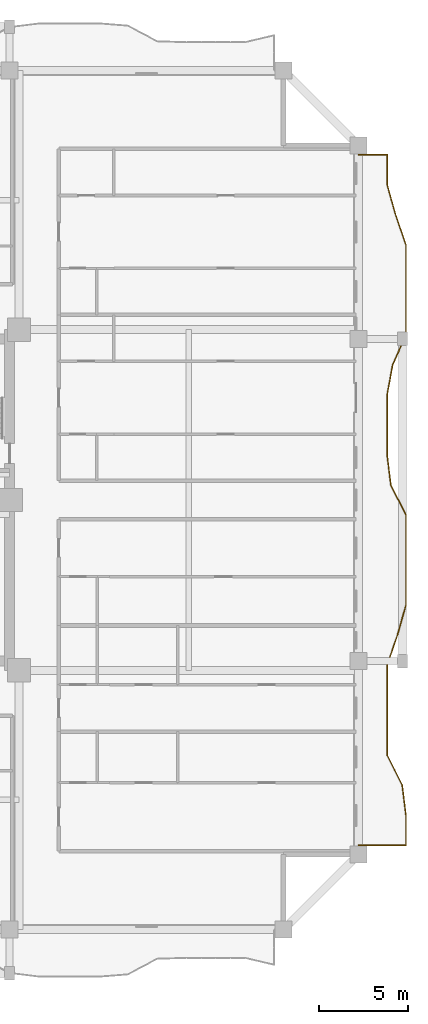
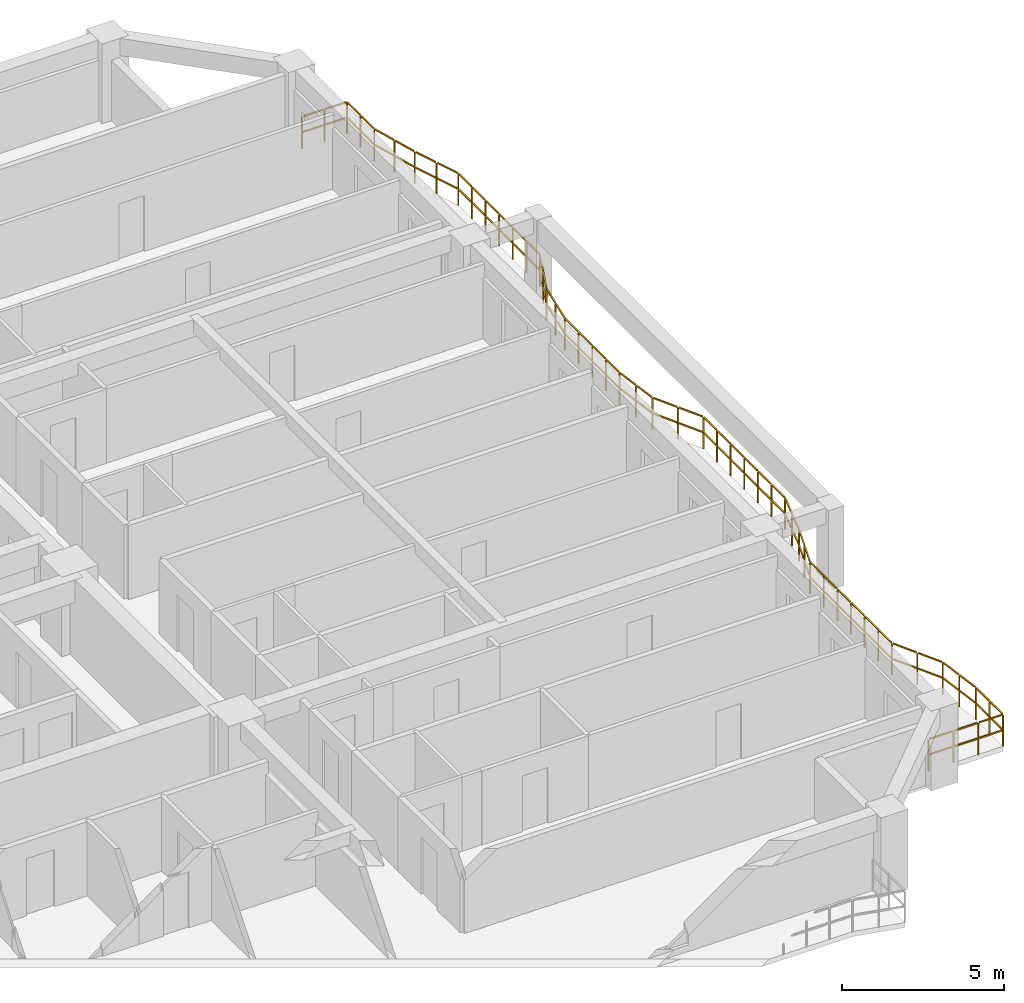
# One storey, part 13 of 14: 1 railing.
"""IFC4 building model written with IfcOpenShell, lengths in metres."""

from ifc_helpers import new_model, si_unit, direction, frame, origin, origin_2d, place, context, subcontext, project, spatial, rectangle, extrude, material, type_object, element, save


model = new_model("IFC4")

# Units and contexts
model_context = context("Model", 3, precision=1e-05, world=origin(), true_north=direction((0.0, 1.0)))
body_context = subcontext(model_context, "Body", "Model", "MODEL_VIEW")
ifc_project = project(units=[si_unit("LENGTHUNIT", "METRE"), si_unit("AREAUNIT", "SQUARE_METRE"), si_unit("VOLUMEUNIT", "CUBIC_METRE"), si_unit("PLANEANGLEUNIT", "RADIAN"), si_unit("MASSUNIT", "GRAM", prefix="KILO")], contexts=[model_context])

# Site, building, storey
site_placement = place(None, origin())
site = spatial("IfcSite", under=ifc_project, at=site_placement, CompositionType="ELEMENT")
building_placement = place(site_placement, origin())
building = spatial("IfcBuilding", under=site, at=building_placement, Name="Saelheon Loggia Tower", CompositionType="ELEMENT")
storey_placement = place(building_placement, frame((0.0, 0.0, 119.85009765625)))
storey = spatial("IfcBuildingStorey", under=building, at=storey_placement, Name="L38", CompositionType="ELEMENT", Elevation=119.85009765625)

# Railing
ifc_material = material(Name="Architectural Precast Concrete and Laminated Glass Guard", Category="concrete")
railing_type = type_object("IfcRailingType", Name="Guard_Loggia_RL_LOG", PredefinedType="BALUSTRADE", material=ifc_material)
railing_placement = place(storey_placement, frame((64.0, 7.699951171875, 0.0)))
element("IfcRailing", 1, at=railing_placement, inside=storey, type_object=railing_type, Name="L38 East Loggia Balustrade", PredefinedType="BALUSTRADE", context=body_context, shape_type="SweptSolid", body=[
    extrude(rectangle(XDim=0.048095703125, YDim=0.048095703125, at=origin_2d()), frame((0.033203125, 0.0, 1.19580078125), z_axis=(1.0, 0.0, 0.0), x_axis=(0.0, 1.0, 0.0)), (0.0, 0.0, 1.0), 0.81689453125),
    extrude(rectangle(XDim=0.048095703125, YDim=0.048095703125, at=origin_2d()), frame((0.033203125, 0.0, 0.60986328125), z_axis=(1.0, 0.0, 0.0), x_axis=(0.0, 1.0, 0.0)), (0.0, 0.0, 1.0), 0.81689453125),
    extrude(rectangle(XDim=0.048095703125, YDim=0.048095703125, at=origin_2d()), frame((0.91650390625, 0.0, 1.19580078125), z_axis=(1.0, 0.0, 0.0), x_axis=(0.0, 1.0, 0.0)), (0.0, 0.0, 1.0), 0.81689453125),
    extrude(rectangle(XDim=0.048095703125, YDim=0.048095703125, at=origin_2d()), frame((0.91650390625, 0.0, 0.60986328125), z_axis=(1.0, 0.0, 0.0), x_axis=(0.0, 1.0, 0.0)), (0.0, 0.0, 1.0), 0.81689453125),
    extrude(rectangle(XDim=0.048095703125, YDim=0.048095703125, at=origin_2d()), frame((1.7998046875, 0.0, 1.19580078125), z_axis=(1.0, 0.0, 0.0), x_axis=(0.0, 1.0, 0.0)), (0.0, 0.0, 1.0), 0.81689453125),
    extrude(rectangle(XDim=0.048095703125, YDim=0.048095703125, at=origin_2d()), frame((1.7998046875, 0.0, 0.60986328125), z_axis=(1.0, 0.0, 0.0), x_axis=(0.0, 1.0, 0.0)), (0.0, 0.0, 1.0), 0.81689453125),
    extrude(rectangle(XDim=0.048095703125, YDim=0.048095703125, at=origin_2d()), frame((2.64990234375, 0.033203125, 1.19580078125), z_axis=(0.0, 1.0, 0.0), x_axis=(-1.0, 0.0, 0.0)), (0.0, 0.0, 1.0), 0.772705078125),
    extrude(rectangle(XDim=0.048095703125, YDim=0.048095703125, at=origin_2d()), frame((2.64990234375, 0.033203125, 0.60986328125), z_axis=(0.0, 1.0, 0.0), x_axis=(-1.0, 0.0, 0.0)), (0.0, 0.0, 1.0), 0.772705078125),
    extrude(rectangle(XDim=0.048095703125, YDim=0.048095703125, at=origin_2d()), frame((2.64990234375, 0.87255859375, 1.19580078125), z_axis=(0.0, 1.0, 0.0), x_axis=(-1.0, 0.0, 0.0)), (0.0, 0.0, 1.0), 0.772705078125),
    extrude(rectangle(XDim=0.048095703125, YDim=0.048095703125, at=origin_2d()), frame((2.64990234375, 0.87255859375, 0.60986328125), z_axis=(0.0, 1.0, 0.0), x_axis=(-1.0, 0.0, 0.0)), (0.0, 0.0, 1.0), 0.772705078125),
    extrude(rectangle(XDim=0.048095703125, YDim=0.048095703125, at=origin_2d()), frame((2.645751953125, 1.71142578125, 1.19580078125), z_axis=(-0.122310580261, 0.992491875008, 0.0), x_axis=(-0.992491875008, -0.122310580261, 0.0)), (0.0, 0.0, 1.0), 0.77880859375),
    extrude(rectangle(XDim=0.048095703125, YDim=0.048095703125, at=origin_2d()), frame((2.645751953125, 1.71142578125, 0.60986328125), z_axis=(-0.122310580261, 0.992491875008, 0.0), x_axis=(-0.992491875008, -0.122310580261, 0.0)), (0.0, 0.0, 1.0), 0.77880859375),
    extrude(rectangle(XDim=0.048095703125, YDim=0.048095703125, at=origin_2d()), frame((2.54248046875, 2.550537109375, 1.19580078125), z_axis=(-0.122310580261, 0.992491875008, 0.0), x_axis=(-0.992491875008, -0.122310580261, 0.0)), (0.0, 0.0, 1.0), 0.77880859375),
    extrude(rectangle(XDim=0.048095703125, YDim=0.048095703125, at=origin_2d()), frame((2.54248046875, 2.550537109375, 0.60986328125), z_axis=(-0.122310580261, 0.992491875008, 0.0), x_axis=(-0.992491875008, -0.122310580261, 0.0)), (0.0, 0.0, 1.0), 0.77880859375),
    extrude(rectangle(XDim=0.048095703125, YDim=0.048095703125, at=origin_2d()), frame((2.42822265625, 3.38623046875, 1.19580078125), z_axis=(-0.448824634664, 0.893619856158, 0.0), x_axis=(-0.893619856158, -0.448824634664, 0.0)), (0.0, 0.0, 1.0), 0.87255859375),
    extrude(rectangle(XDim=0.048095703125, YDim=0.048095703125, at=origin_2d()), frame((2.42822265625, 3.38623046875, 0.60986328125), z_axis=(-0.448824634664, 0.893619856158, 0.0), x_axis=(-0.893619856158, -0.448824634664, 0.0)), (0.0, 0.0, 1.0), 0.87255859375),
    extrude(rectangle(XDim=0.048095703125, YDim=0.048095703125, at=origin_2d()), frame((2.006591796875, 4.225341796875, 1.19580078125), z_axis=(-0.448824634664, 0.893619856158, 0.0), x_axis=(-0.893619856158, -0.448824634664, 0.0)), (0.0, 0.0, 1.0), 0.87255859375),
    extrude(rectangle(XDim=0.048095703125, YDim=0.048095703125, at=origin_2d()), frame((2.006591796875, 4.225341796875, 0.60986328125), z_axis=(-0.448824634664, 0.893619856158, 0.0), x_axis=(-0.893619856158, -0.448824634664, 0.0)), (0.0, 0.0, 1.0), 0.87255859375),
    extrude(rectangle(XDim=0.048095703125, YDim=0.048095703125, at=origin_2d()), frame((1.60009765625, 5.068115234375, 1.19580078125), z_axis=(0.0, 1.0, 0.0), x_axis=(-1.0, 0.0, 0.0)), (0.0, 0.0, 1.0), 0.772705078125),
    extrude(rectangle(XDim=0.048095703125, YDim=0.048095703125, at=origin_2d()), frame((1.60009765625, 5.068115234375, 0.60986328125), z_axis=(0.0, 1.0, 0.0), x_axis=(-1.0, 0.0, 0.0)), (0.0, 0.0, 1.0), 0.772705078125),
    extrude(rectangle(XDim=0.048095703125, YDim=0.048095703125, at=origin_2d()), frame((1.60009765625, 5.9072265625, 1.19580078125), z_axis=(0.0, 1.0, 0.0), x_axis=(-1.0, 0.0, 0.0)), (0.0, 0.0, 1.0), 0.772705078125),
    extrude(rectangle(XDim=0.048095703125, YDim=0.048095703125, at=origin_2d()), frame((1.60009765625, 5.9072265625, 0.60986328125), z_axis=(0.0, 1.0, 0.0), x_axis=(-1.0, 0.0, 0.0)), (0.0, 0.0, 1.0), 0.772705078125),
    extrude(rectangle(XDim=0.048095703125, YDim=0.048095703125, at=origin_2d()), frame((1.60009765625, 6.746337890625, 1.19580078125), z_axis=(0.0, 1.0, 0.0), x_axis=(-1.0, 0.0, 0.0)), (0.0, 0.0, 1.0), 0.772705078125),
    extrude(rectangle(XDim=0.048095703125, YDim=0.048095703125, at=origin_2d()), frame((1.60009765625, 6.746337890625, 0.60986328125), z_axis=(0.0, 1.0, 0.0), x_axis=(-1.0, 0.0, 0.0)), (0.0, 0.0, 1.0), 0.772705078125),
    extrude(rectangle(XDim=0.048095703125, YDim=0.048095703125, at=origin_2d()), frame((1.60009765625, 7.58544921875, 1.19580078125), z_axis=(0.0, 1.0, 0.0), x_axis=(-1.0, 0.0, 0.0)), (0.0, 0.0, 1.0), 0.772705078125),
    extrude(rectangle(XDim=0.048095703125, YDim=0.048095703125, at=origin_2d()), frame((1.60009765625, 7.58544921875, 0.60986328125), z_axis=(0.0, 1.0, 0.0), x_axis=(-1.0, 0.0, 0.0)), (0.0, 0.0, 1.0), 0.772705078125),
    extrude(rectangle(XDim=0.048095703125, YDim=0.048095703125, at=origin_2d()), frame((1.60009765625, 8.424560546875, 1.19580078125), z_axis=(0.0, 1.0, 0.0), x_axis=(-1.0, 0.0, 0.0)), (0.0, 0.0, 1.0), 0.772705078125),
    extrude(rectangle(XDim=0.048095703125, YDim=0.048095703125, at=origin_2d()), frame((1.60009765625, 8.424560546875, 0.60986328125), z_axis=(0.0, 1.0, 0.0), x_axis=(-1.0, 0.0, 0.0)), (0.0, 0.0, 1.0), 0.772705078125),
    extrude(rectangle(XDim=0.048095703125, YDim=0.048095703125, at=origin_2d()), frame((1.60009765625, 9.263671875, 1.19580078125), z_axis=(0.0, 1.0, 0.0), x_axis=(-1.0, 0.0, 0.0)), (0.0, 0.0, 1.0), 0.772705078125),
    extrude(rectangle(XDim=0.048095703125, YDim=0.048095703125, at=origin_2d()), frame((1.60009765625, 9.263671875, 0.60986328125), z_axis=(0.0, 1.0, 0.0), x_axis=(-1.0, 0.0, 0.0)), (0.0, 0.0, 1.0), 0.772705078125),
    extrude(rectangle(XDim=0.048095703125, YDim=0.048095703125, at=origin_2d()), frame((1.61083984375, 10.10107421875, 1.19580078125), z_axis=(0.324595186359, 0.945853035621, 0.0), x_axis=(-0.945853035621, 0.324595186359, 0.0)), (0.0, 0.0, 1.0), 0.82080078125),
    extrude(rectangle(XDim=0.048095703125, YDim=0.048095703125, at=origin_2d()), frame((1.61083984375, 10.10107421875, 0.60986328125), z_axis=(0.324595186359, 0.945853035621, 0.0), x_axis=(-0.945853035621, 0.324595186359, 0.0)), (0.0, 0.0, 1.0), 0.82080078125),
    extrude(rectangle(XDim=0.048095703125, YDim=0.048095703125, at=origin_2d()), frame((1.89892578125, 10.940185546875, 1.19580078125), z_axis=(0.324595186359, 0.945853035621, 0.0), x_axis=(-0.945853035621, 0.324595186359, 0.0)), (0.0, 0.0, 1.0), 0.82080078125),
    extrude(rectangle(XDim=0.048095703125, YDim=0.048095703125, at=origin_2d()), frame((1.89892578125, 10.940185546875, 0.60986328125), z_axis=(0.324595186359, 0.945853035621, 0.0), x_axis=(-0.945853035621, 0.324595186359, 0.0)), (0.0, 0.0, 1.0), 0.82080078125),
    extrude(rectangle(XDim=0.048095703125, YDim=0.048095703125, at=origin_2d()), frame((2.18505859375, 11.77978515625, 1.19580078125), z_axis=(0.271706191311, 0.962380250007, 0.0), x_axis=(-0.962380250007, 0.271706191311, 0.0)), (0.0, 0.0, 1.0), 0.8056640625),
    extrude(rectangle(XDim=0.048095703125, YDim=0.048095703125, at=origin_2d()), frame((2.18505859375, 11.77978515625, 0.60986328125), z_axis=(0.271706191311, 0.962380250007, 0.0), x_axis=(-0.962380250007, 0.271706191311, 0.0)), (0.0, 0.0, 1.0), 0.8056640625),
    extrude(rectangle(XDim=0.048095703125, YDim=0.048095703125, at=origin_2d()), frame((2.421875, 12.619140625, 1.19580078125), z_axis=(0.271706191311, 0.962380250007, 0.0), x_axis=(-0.962380250007, 0.271706191311, 0.0)), (0.0, 0.0, 1.0), 0.8056640625),
    extrude(rectangle(XDim=0.048095703125, YDim=0.048095703125, at=origin_2d()), frame((2.421875, 12.619140625, 0.60986328125), z_axis=(0.271706191311, 0.962380250007, 0.0), x_axis=(-0.962380250007, 0.271706191311, 0.0)), (0.0, 0.0, 1.0), 0.8056640625),
    extrude(rectangle(XDim=0.048095703125, YDim=0.048095703125, at=origin_2d()), frame((2.64990234375, 13.45947265625, 1.19580078125), z_axis=(0.0, 1.0, 0.0), x_axis=(-1.0, 0.0, 0.0)), (0.0, 0.0, 1.0), 0.7724609375),
    extrude(rectangle(XDim=0.048095703125, YDim=0.048095703125, at=origin_2d()), frame((2.64990234375, 13.45947265625, 0.60986328125), z_axis=(0.0, 1.0, 0.0), x_axis=(-1.0, 0.0, 0.0)), (0.0, 0.0, 1.0), 0.7724609375),
    extrude(rectangle(XDim=0.048095703125, YDim=0.048095703125, at=origin_2d()), frame((2.64990234375, 14.298583984375, 1.19580078125), z_axis=(0.0, 1.0, 0.0), x_axis=(-1.0, 0.0, 0.0)), (0.0, 0.0, 1.0), 0.7724609375),
    extrude(rectangle(XDim=0.048095703125, YDim=0.048095703125, at=origin_2d()), frame((2.64990234375, 14.298583984375, 0.60986328125), z_axis=(0.0, 1.0, 0.0), x_axis=(-1.0, 0.0, 0.0)), (0.0, 0.0, 1.0), 0.7724609375),
    extrude(rectangle(XDim=0.048095703125, YDim=0.048095703125, at=origin_2d()), frame((2.64990234375, 15.137451171875, 1.19580078125), z_axis=(0.0, 1.0, 0.0), x_axis=(-1.0, 0.0, 0.0)), (0.0, 0.0, 1.0), 0.772705078125),
    extrude(rectangle(XDim=0.048095703125, YDim=0.048095703125, at=origin_2d()), frame((2.64990234375, 15.137451171875, 0.60986328125), z_axis=(0.0, 1.0, 0.0), x_axis=(-1.0, 0.0, 0.0)), (0.0, 0.0, 1.0), 0.772705078125),
    extrude(rectangle(XDim=0.048095703125, YDim=0.048095703125, at=origin_2d()), frame((2.64990234375, 15.976806640625, 1.19580078125), z_axis=(0.0, 1.0, 0.0), x_axis=(-1.0, 0.0, 0.0)), (0.0, 0.0, 1.0), 0.772705078125),
    extrude(rectangle(XDim=0.048095703125, YDim=0.048095703125, at=origin_2d()), frame((2.64990234375, 15.976806640625, 0.60986328125), z_axis=(0.0, 1.0, 0.0), x_axis=(-1.0, 0.0, 0.0)), (0.0, 0.0, 1.0), 0.772705078125),
    extrude(rectangle(XDim=0.048095703125, YDim=0.048095703125, at=origin_2d()), frame((2.64990234375, 16.81591796875, 1.19580078125), z_axis=(0.0, 1.0, 0.0), x_axis=(-1.0, 0.0, 0.0)), (0.0, 0.0, 1.0), 0.772705078125),
    extrude(rectangle(XDim=0.048095703125, YDim=0.048095703125, at=origin_2d()), frame((2.64990234375, 16.81591796875, 0.60986328125), z_axis=(0.0, 1.0, 0.0), x_axis=(-1.0, 0.0, 0.0)), (0.0, 0.0, 1.0), 0.772705078125),
    extrude(rectangle(XDim=0.048095703125, YDim=0.048095703125, at=origin_2d()), frame((2.64990234375, 17.655029296875, 1.19580078125), z_axis=(0.0, 1.0, 0.0), x_axis=(-1.0, 0.0, 0.0)), (0.0, 0.0, 1.0), 0.772705078125),
    extrude(rectangle(XDim=0.048095703125, YDim=0.048095703125, at=origin_2d()), frame((2.64990234375, 17.655029296875, 0.60986328125), z_axis=(0.0, 1.0, 0.0), x_axis=(-1.0, 0.0, 0.0)), (0.0, 0.0, 1.0), 0.772705078125),
    extrude(rectangle(XDim=0.048095703125, YDim=0.048095703125, at=origin_2d()), frame((2.635009765625, 18.49072265625, 1.19580078125), z_axis=(-0.449084342629, 0.893489369386, 0.0), x_axis=(-0.893489369386, -0.449084342629, 0.0)), (0.0, 0.0, 1.0), 0.87255859375),
    extrude(rectangle(XDim=0.048095703125, YDim=0.048095703125, at=origin_2d()), frame((2.635009765625, 18.49072265625, 0.60986328125), z_axis=(-0.449084342629, 0.893489369386, 0.0), x_axis=(-0.893489369386, -0.449084342629, 0.0)), (0.0, 0.0, 1.0), 0.87255859375),
    extrude(rectangle(XDim=0.048095703125, YDim=0.048095703125, at=origin_2d()), frame((2.213134765625, 19.329833984375, 1.19580078125), z_axis=(-0.449084342629, 0.893489369386, 0.0), x_axis=(-0.893489369386, -0.449084342629, 0.0)), (0.0, 0.0, 1.0), 0.87255859375),
    extrude(rectangle(XDim=0.048095703125, YDim=0.048095703125, at=origin_2d()), frame((2.213134765625, 19.329833984375, 0.60986328125), z_axis=(-0.449084342629, 0.893489369386, 0.0), x_axis=(-0.893489369386, -0.449084342629, 0.0)), (0.0, 0.0, 1.0), 0.87255859375),
    extrude(rectangle(XDim=0.048095703125, YDim=0.048095703125, at=origin_2d()), frame((1.80224609375, 20.172119140625, 1.19580078125), z_axis=(-0.122008589262, 0.992529044485, 0.0), x_axis=(-0.992529044485, -0.122008589262, 0.0)), (0.0, 0.0, 1.0), 0.779052734375),
    extrude(rectangle(XDim=0.048095703125, YDim=0.048095703125, at=origin_2d()), frame((1.80224609375, 20.172119140625, 0.60986328125), z_axis=(-0.122008589262, 0.992529044485, 0.0), x_axis=(-0.992529044485, -0.122008589262, 0.0)), (0.0, 0.0, 1.0), 0.779052734375),
    extrude(rectangle(XDim=0.048095703125, YDim=0.048095703125, at=origin_2d()), frame((1.69921875, 21.01123046875, 1.19580078125), z_axis=(-0.122008589262, 0.992529044485, 0.0), x_axis=(-0.992529044485, -0.122008589262, 0.0)), (0.0, 0.0, 1.0), 0.779052734375),
    extrude(rectangle(XDim=0.048095703125, YDim=0.048095703125, at=origin_2d()), frame((1.69921875, 21.01123046875, 0.60986328125), z_axis=(-0.122008589262, 0.992529044485, 0.0), x_axis=(-0.992529044485, -0.122008589262, 0.0)), (0.0, 0.0, 1.0), 0.779052734375),
    extrude(rectangle(XDim=0.048095703125, YDim=0.048095703125, at=origin_2d()), frame((1.60009765625, 21.8505859375, 1.19580078125), z_axis=(0.0, 1.0, 0.0), x_axis=(-1.0, 0.0, 0.0)), (0.0, 0.0, 1.0), 0.772705078125),
    extrude(rectangle(XDim=0.048095703125, YDim=0.048095703125, at=origin_2d()), frame((1.60009765625, 21.8505859375, 0.60986328125), z_axis=(0.0, 1.0, 0.0), x_axis=(-1.0, 0.0, 0.0)), (0.0, 0.0, 1.0), 0.772705078125),
    extrude(rectangle(XDim=0.048095703125, YDim=0.048095703125, at=origin_2d()), frame((1.60009765625, 22.68994140625, 1.19580078125), z_axis=(0.0, 1.0, 0.0), x_axis=(-1.0, 0.0, 0.0)), (0.0, 0.0, 1.0), 0.772705078125),
    extrude(rectangle(XDim=0.048095703125, YDim=0.048095703125, at=origin_2d()), frame((1.60009765625, 22.68994140625, 0.60986328125), z_axis=(0.0, 1.0, 0.0), x_axis=(-1.0, 0.0, 0.0)), (0.0, 0.0, 1.0), 0.772705078125),
    extrude(rectangle(XDim=0.048095703125, YDim=0.048095703125, at=origin_2d()), frame((1.60009765625, 23.529052734375, 1.19580078125), z_axis=(0.0, 1.0, 0.0), x_axis=(-1.0, 0.0, 0.0)), (0.0, 0.0, 1.0), 0.7724609375),
    extrude(rectangle(XDim=0.048095703125, YDim=0.048095703125, at=origin_2d()), frame((1.60009765625, 23.529052734375, 0.60986328125), z_axis=(0.0, 1.0, 0.0), x_axis=(-1.0, 0.0, 0.0)), (0.0, 0.0, 1.0), 0.7724609375),
    extrude(rectangle(XDim=0.048095703125, YDim=0.048095703125, at=origin_2d()), frame((1.60009765625, 24.3681640625, 1.19580078125), z_axis=(0.0, 1.0, 0.0), x_axis=(-1.0, 0.0, 0.0)), (0.0, 0.0, 1.0), 0.7724609375),
    extrude(rectangle(XDim=0.048095703125, YDim=0.048095703125, at=origin_2d()), frame((1.60009765625, 24.3681640625, 0.60986328125), z_axis=(0.0, 1.0, 0.0), x_axis=(-1.0, 0.0, 0.0)), (0.0, 0.0, 1.0), 0.7724609375),
    extrude(rectangle(XDim=0.048095703125, YDim=0.048095703125, at=origin_2d()), frame((1.606201171875, 25.20654296875, 1.19580078125), z_axis=(0.180270193892, 0.983617129372, 0.0), x_axis=(-0.983617129372, 0.180270193892, 0.0)), (0.0, 0.0, 1.0), 0.78662109375),
    extrude(rectangle(XDim=0.048095703125, YDim=0.048095703125, at=origin_2d()), frame((1.606201171875, 25.20654296875, 0.60986328125), z_axis=(0.180270193892, 0.983617129372, 0.0), x_axis=(-0.983617129372, 0.180270193892, 0.0)), (0.0, 0.0, 1.0), 0.78662109375),
    extrude(rectangle(XDim=0.048095703125, YDim=0.048095703125, at=origin_2d()), frame((1.760009765625, 26.045654296875, 1.19580078125), z_axis=(0.180270193892, 0.983617129372, 0.0), x_axis=(-0.983617129372, 0.180270193892, 0.0)), (0.0, 0.0, 1.0), 0.78662109375),
    extrude(rectangle(XDim=0.048095703125, YDim=0.048095703125, at=origin_2d()), frame((1.760009765625, 26.045654296875, 0.60986328125), z_axis=(0.180270193892, 0.983617129372, 0.0), x_axis=(-0.983617129372, 0.180270193892, 0.0)), (0.0, 0.0, 1.0), 0.78662109375),
    extrude(rectangle(XDim=0.048095703125, YDim=0.048095703125, at=origin_2d()), frame((1.921142578125, 26.882568359375, 1.19580078125), z_axis=(0.404458935898, 0.91455615966, 0.0), x_axis=(-0.91455615966, 0.404458935898, 0.0)), (0.0, 0.0, 1.0), 0.85107421875),
    extrude(rectangle(XDim=0.048095703125, YDim=0.048095703125, at=origin_2d()), frame((1.921142578125, 26.882568359375, 0.60986328125), z_axis=(0.404458935898, 0.91455615966, 0.0), x_axis=(-0.91455615966, 0.404458935898, 0.0)), (0.0, 0.0, 1.0), 0.85107421875),
    extrude(rectangle(XDim=0.048095703125, YDim=0.048095703125, at=origin_2d()), frame((2.292236328125, 27.7216796875, 1.19580078125), z_axis=(0.404458935898, 0.91455615966, 0.0), x_axis=(-0.91455615966, 0.404458935898, 0.0)), (0.0, 0.0, 1.0), 0.85107421875),
    extrude(rectangle(XDim=0.048095703125, YDim=0.048095703125, at=origin_2d()), frame((2.292236328125, 27.7216796875, 0.60986328125), z_axis=(0.404458935898, 0.91455615966, 0.0), x_axis=(-0.91455615966, 0.404458935898, 0.0)), (0.0, 0.0, 1.0), 0.85107421875),
    extrude(rectangle(XDim=0.048095703125, YDim=0.048095703125, at=origin_2d()), frame((2.64990234375, 28.563720703125, 1.19580078125), z_axis=(0.0, 1.0, 0.0), x_axis=(-1.0, 0.0, 0.0)), (0.0, 0.0, 1.0), 0.772705078125),
    extrude(rectangle(XDim=0.048095703125, YDim=0.048095703125, at=origin_2d()), frame((2.64990234375, 28.563720703125, 0.60986328125), z_axis=(0.0, 1.0, 0.0), x_axis=(-1.0, 0.0, 0.0)), (0.0, 0.0, 1.0), 0.772705078125),
    extrude(rectangle(XDim=0.048095703125, YDim=0.048095703125, at=origin_2d()), frame((2.64990234375, 29.40283203125, 1.19580078125), z_axis=(0.0, 1.0, 0.0), x_axis=(-1.0, 0.0, 0.0)), (0.0, 0.0, 1.0), 0.772705078125),
    extrude(rectangle(XDim=0.048095703125, YDim=0.048095703125, at=origin_2d()), frame((2.64990234375, 29.40283203125, 0.60986328125), z_axis=(0.0, 1.0, 0.0), x_axis=(-1.0, 0.0, 0.0)), (0.0, 0.0, 1.0), 0.772705078125),
    extrude(rectangle(XDim=0.048095703125, YDim=0.048095703125, at=origin_2d()), frame((2.64990234375, 30.241943359375, 1.19580078125), z_axis=(0.0, 1.0, 0.0), x_axis=(-1.0, 0.0, 0.0)), (0.0, 0.0, 1.0), 0.772705078125),
    extrude(rectangle(XDim=0.048095703125, YDim=0.048095703125, at=origin_2d()), frame((2.64990234375, 30.241943359375, 0.60986328125), z_axis=(0.0, 1.0, 0.0), x_axis=(-1.0, 0.0, 0.0)), (0.0, 0.0, 1.0), 0.772705078125),
    extrude(rectangle(XDim=0.048095703125, YDim=0.048095703125, at=origin_2d()), frame((2.64990234375, 31.0810546875, 1.19580078125), z_axis=(0.0, 1.0, 0.0), x_axis=(-1.0, 0.0, 0.0)), (0.0, 0.0, 1.0), 0.772705078125),
    extrude(rectangle(XDim=0.048095703125, YDim=0.048095703125, at=origin_2d()), frame((2.64990234375, 31.0810546875, 0.60986328125), z_axis=(0.0, 1.0, 0.0), x_axis=(-1.0, 0.0, 0.0)), (0.0, 0.0, 1.0), 0.772705078125),
    extrude(rectangle(XDim=0.048095703125, YDim=0.048095703125, at=origin_2d()), frame((2.64990234375, 31.920166015625, 1.19580078125), z_axis=(0.0, 1.0, 0.0), x_axis=(-1.0, 0.0, 0.0)), (0.0, 0.0, 1.0), 0.772705078125),
    extrude(rectangle(XDim=0.048095703125, YDim=0.048095703125, at=origin_2d()), frame((2.64990234375, 31.920166015625, 0.60986328125), z_axis=(0.0, 1.0, 0.0), x_axis=(-1.0, 0.0, 0.0)), (0.0, 0.0, 1.0), 0.772705078125),
    extrude(rectangle(XDim=0.048095703125, YDim=0.048095703125, at=origin_2d()), frame((2.64990234375, 32.75927734375, 1.19580078125), z_axis=(0.0, 1.0, 0.0), x_axis=(-1.0, 0.0, 0.0)), (0.0, 0.0, 1.0), 0.772705078125),
    extrude(rectangle(XDim=0.048095703125, YDim=0.048095703125, at=origin_2d()), frame((2.64990234375, 32.75927734375, 0.60986328125), z_axis=(0.0, 1.0, 0.0), x_axis=(-1.0, 0.0, 0.0)), (0.0, 0.0, 1.0), 0.772705078125),
    extrude(rectangle(XDim=0.048095703125, YDim=0.048095703125, at=origin_2d()), frame((2.63916015625, 33.5966796875, 1.19580078125), z_axis=(-0.32553712792, 0.945529258323, 0.0), x_axis=(-0.945529258323, -0.32553712792, 0.0)), (0.0, 0.0, 1.0), 0.821044921875),
    extrude(rectangle(XDim=0.048095703125, YDim=0.048095703125, at=origin_2d()), frame((2.63916015625, 33.5966796875, 0.60986328125), z_axis=(-0.32553712792, 0.945529258323, 0.0), x_axis=(-0.945529258323, -0.32553712792, 0.0)), (0.0, 0.0, 1.0), 0.821044921875),
    extrude(rectangle(XDim=0.048095703125, YDim=0.048095703125, at=origin_2d()), frame((2.35009765625, 34.435791015625, 1.19580078125), z_axis=(-0.32553712792, 0.945529258323, 0.0), x_axis=(-0.945529258323, -0.32553712792, 0.0)), (0.0, 0.0, 1.0), 0.821044921875),
    extrude(rectangle(XDim=0.048095703125, YDim=0.048095703125, at=origin_2d()), frame((2.35009765625, 34.435791015625, 0.60986328125), z_axis=(-0.32553712792, 0.945529258323, 0.0), x_axis=(-0.945529258323, -0.32553712792, 0.0)), (0.0, 0.0, 1.0), 0.821044921875),
    extrude(rectangle(XDim=0.048095703125, YDim=0.048095703125, at=origin_2d()), frame((2.06298828125, 35.275634765625, 1.19580078125), z_axis=(-0.270741520797, 0.962652080929, 0.0), x_axis=(-0.962652080929, -0.270741520797, 0.0)), (0.0, 0.0, 1.0), 0.80517578125),
    extrude(rectangle(XDim=0.048095703125, YDim=0.048095703125, at=origin_2d()), frame((2.06298828125, 35.275634765625, 0.60986328125), z_axis=(-0.270741520797, 0.962652080929, 0.0), x_axis=(-0.962652080929, -0.270741520797, 0.0)), (0.0, 0.0, 1.0), 0.80517578125),
    extrude(rectangle(XDim=0.048095703125, YDim=0.048095703125, at=origin_2d()), frame((1.8271484375, 36.11474609375, 1.19580078125), z_axis=(-0.270741520797, 0.962652080929, 0.0), x_axis=(-0.962652080929, -0.270741520797, 0.0)), (0.0, 0.0, 1.0), 0.80517578125),
    extrude(rectangle(XDim=0.048095703125, YDim=0.048095703125, at=origin_2d()), frame((1.8271484375, 36.11474609375, 0.60986328125), z_axis=(-0.270741520797, 0.962652080929, 0.0), x_axis=(-0.962652080929, -0.270741520797, 0.0)), (0.0, 0.0, 1.0), 0.80517578125),
    extrude(rectangle(XDim=0.048095703125, YDim=0.048095703125, at=origin_2d()), frame((1.60009765625, 36.954833984375, 1.19580078125), z_axis=(0.0, 1.0, 0.0), x_axis=(-1.0, 0.0, 0.0)), (0.0, 0.0, 1.0), 0.772705078125),
    extrude(rectangle(XDim=0.048095703125, YDim=0.048095703125, at=origin_2d()), frame((1.60009765625, 36.954833984375, 0.60986328125), z_axis=(0.0, 1.0, 0.0), x_axis=(-1.0, 0.0, 0.0)), (0.0, 0.0, 1.0), 0.772705078125),
    extrude(rectangle(XDim=0.048095703125, YDim=0.048095703125, at=origin_2d()), frame((1.60009765625, 37.794189453125, 1.19580078125), z_axis=(0.0, 1.0, 0.0), x_axis=(-1.0, 0.0, 0.0)), (0.0, 0.0, 1.0), 0.772705078125),
    extrude(rectangle(XDim=0.048095703125, YDim=0.048095703125, at=origin_2d()), frame((1.60009765625, 37.794189453125, 0.60986328125), z_axis=(0.0, 1.0, 0.0), x_axis=(-1.0, 0.0, 0.0)), (0.0, 0.0, 1.0), 0.772705078125),
    extrude(rectangle(XDim=0.048095703125, YDim=0.048095703125, at=origin_2d()), frame((1.56689453125, 38.60009765625, 1.19580078125), z_axis=(-1.0, 0.0, 0.0), x_axis=(0.0, -1.0, 0.0)), (0.0, 0.0, 1.0), 0.733642578125),
    extrude(rectangle(XDim=0.048095703125, YDim=0.048095703125, at=origin_2d()), frame((1.56689453125, 38.60009765625, 0.60986328125), z_axis=(-1.0, 0.0, 0.0), x_axis=(0.0, -1.0, 0.0)), (0.0, 0.0, 1.0), 0.733642578125),
    extrude(rectangle(XDim=0.048095703125, YDim=0.048095703125, at=origin_2d()), frame((0.766845703125, 38.60009765625, 1.19580078125), z_axis=(-1.0, 0.0, 0.0), x_axis=(0.0, -1.0, 0.0)), (0.0, 0.0, 1.0), 0.733642578125),
    extrude(rectangle(XDim=0.048095703125, YDim=0.048095703125, at=origin_2d()), frame((0.766845703125, 38.60009765625, 0.60986328125), z_axis=(-1.0, 0.0, 0.0), x_axis=(0.0, -1.0, 0.0)), (0.0, 0.0, 1.0), 0.733642578125),
    extrude(rectangle(XDim=0.0419921875, YDim=0.0419921875, at=origin_2d()), origin(), (0.0, 0.0, 1.0), 1.16796875),
    extrude(rectangle(XDim=0.0419921875, YDim=0.0419921875, at=origin_2d()), frame((0.88330078125, 0.0, 0.0)), (0.0, 0.0, 1.0), 1.16796875),
    extrude(rectangle(XDim=0.0419921875, YDim=0.0419921875, at=origin_2d()), frame((1.7666015625, 0.0, 0.0)), (0.0, 0.0, 1.0), 1.16796875),
    extrude(rectangle(XDim=0.0419921875, YDim=0.0419921875, at=origin_2d()), frame((2.64990234375, 0.0, 0.0)), (0.0, 0.0, 1.0), 1.16796875),
    extrude(rectangle(XDim=0.0419921875, YDim=0.0419921875, at=origin_2d()), frame((2.64990234375, 0.83935546875, 0.0)), (0.0, 0.0, 1.0), 1.16796875),
    extrude(rectangle(XDim=0.0419921875, YDim=0.0419921875, at=origin_2d()), frame((2.64990234375, 1.678466796875, 0.0)), (0.0, 0.0, 1.0), 1.16796875),
    extrude(rectangle(XDim=0.0419921875, YDim=0.0419921875, at=origin_2d()), frame((2.54638671875, 2.517578125, 0.0)), (0.0, 0.0, 1.0), 1.16796875),
    extrude(rectangle(XDim=0.0419921875, YDim=0.0419921875, at=origin_2d()), frame((2.443115234375, 3.3564453125, 0.0)), (0.0, 0.0, 1.0), 1.16796875),
    extrude(rectangle(XDim=0.0419921875, YDim=0.0419921875, at=origin_2d()), frame((2.021484375, 4.19580078125, 0.0)), (0.0, 0.0, 1.0), 1.16796875),
    extrude(rectangle(XDim=0.0419921875, YDim=0.0419921875, at=origin_2d()), frame((1.60009765625, 5.034912109375, 0.0)), (0.0, 0.0, 1.0), 1.16796875),
    extrude(rectangle(XDim=0.0419921875, YDim=0.0419921875, at=origin_2d()), frame((1.60009765625, 5.8740234375, 0.0)), (0.0, 0.0, 1.0), 1.16796875),
    extrude(rectangle(XDim=0.0419921875, YDim=0.0419921875, at=origin_2d()), frame((1.60009765625, 6.713134765625, 0.0)), (0.0, 0.0, 1.0), 1.16796875),
    extrude(rectangle(XDim=0.0419921875, YDim=0.0419921875, at=origin_2d()), frame((1.60009765625, 7.55224609375, 0.0)), (0.0, 0.0, 1.0), 1.16796875),
    extrude(rectangle(XDim=0.0419921875, YDim=0.0419921875, at=origin_2d()), frame((1.60009765625, 8.391357421875, 0.0)), (0.0, 0.0, 1.0), 1.16796875),
    extrude(rectangle(XDim=0.0419921875, YDim=0.0419921875, at=origin_2d()), frame((1.60009765625, 9.23046875, 0.0)), (0.0, 0.0, 1.0), 1.16796875),
    extrude(rectangle(XDim=0.0419921875, YDim=0.0419921875, at=origin_2d()), frame((1.60009765625, 10.069580078125, 0.0)), (0.0, 0.0, 1.0), 1.16796875),
    extrude(rectangle(XDim=0.0419921875, YDim=0.0419921875, at=origin_2d()), frame((1.88818359375, 10.90869140625, 0.0)), (0.0, 0.0, 1.0), 1.16796875),
    extrude(rectangle(XDim=0.0419921875, YDim=0.0419921875, at=origin_2d()), frame((2.176025390625, 11.747802734375, 0.0)), (0.0, 0.0, 1.0), 1.16796875),
    extrude(rectangle(XDim=0.0419921875, YDim=0.0419921875, at=origin_2d()), frame((2.4130859375, 12.5869140625, 0.0)), (0.0, 0.0, 1.0), 1.16796875),
    extrude(rectangle(XDim=0.0419921875, YDim=0.0419921875, at=origin_2d()), frame((2.64990234375, 13.42626953125, 0.0)), (0.0, 0.0, 1.0), 1.16796875),
    extrude(rectangle(XDim=0.0419921875, YDim=0.0419921875, at=origin_2d()), frame((2.64990234375, 14.26513671875, 0.0)), (0.0, 0.0, 1.0), 1.16796875),
    extrude(rectangle(XDim=0.0419921875, YDim=0.0419921875, at=origin_2d()), frame((2.64990234375, 15.104248046875, 0.0)), (0.0, 0.0, 1.0), 1.16796875),
    extrude(rectangle(XDim=0.0419921875, YDim=0.0419921875, at=origin_2d()), frame((2.64990234375, 15.943359375, 0.0)), (0.0, 0.0, 1.0), 1.16796875),
    extrude(rectangle(XDim=0.0419921875, YDim=0.0419921875, at=origin_2d()), frame((2.64990234375, 16.78271484375, 0.0)), (0.0, 0.0, 1.0), 1.16796875),
    extrude(rectangle(XDim=0.0419921875, YDim=0.0419921875, at=origin_2d()), frame((2.64990234375, 17.621826171875, 0.0)), (0.0, 0.0, 1.0), 1.16796875),
    extrude(rectangle(XDim=0.0419921875, YDim=0.0419921875, at=origin_2d()), frame((2.64990234375, 18.4609375, 0.0)), (0.0, 0.0, 1.0), 1.16796875),
    extrude(rectangle(XDim=0.0419921875, YDim=0.0419921875, at=origin_2d()), frame((2.22802734375, 19.300048828125, 0.0)), (0.0, 0.0, 1.0), 1.16796875),
    extrude(rectangle(XDim=0.0419921875, YDim=0.0419921875, at=origin_2d()), frame((1.806396484375, 20.13916015625, 0.0)), (0.0, 0.0, 1.0), 1.16796875),
    extrude(rectangle(XDim=0.0419921875, YDim=0.0419921875, at=origin_2d()), frame((1.703125, 20.978271484375, 0.0)), (0.0, 0.0, 1.0), 1.16796875),
    extrude(rectangle(XDim=0.0419921875, YDim=0.0419921875, at=origin_2d()), frame((1.60009765625, 21.8173828125, 0.0)), (0.0, 0.0, 1.0), 1.16796875),
    extrude(rectangle(XDim=0.0419921875, YDim=0.0419921875, at=origin_2d()), frame((1.60009765625, 22.65673828125, 0.0)), (0.0, 0.0, 1.0), 1.16796875),
    extrude(rectangle(XDim=0.0419921875, YDim=0.0419921875, at=origin_2d()), frame((1.60009765625, 23.495849609375, 0.0)), (0.0, 0.0, 1.0), 1.16796875),
    extrude(rectangle(XDim=0.0419921875, YDim=0.0419921875, at=origin_2d()), frame((1.60009765625, 24.3349609375, 0.0)), (0.0, 0.0, 1.0), 1.16796875),
    extrude(rectangle(XDim=0.0419921875, YDim=0.0419921875, at=origin_2d()), frame((1.60009765625, 25.173828125, 0.0)), (0.0, 0.0, 1.0), 1.16796875),
    extrude(rectangle(XDim=0.0419921875, YDim=0.0419921875, at=origin_2d()), frame((1.75390625, 26.01318359375, 0.0)), (0.0, 0.0, 1.0), 1.16796875),
    extrude(rectangle(XDim=0.0419921875, YDim=0.0419921875, at=origin_2d()), frame((1.90771484375, 26.852294921875, 0.0)), (0.0, 0.0, 1.0), 1.16796875),
    extrude(rectangle(XDim=0.0419921875, YDim=0.0419921875, at=origin_2d()), frame((2.27880859375, 27.69140625, 0.0)), (0.0, 0.0, 1.0), 1.16796875),
    extrude(rectangle(XDim=0.0419921875, YDim=0.0419921875, at=origin_2d()), frame((2.64990234375, 28.530517578125, 0.0)), (0.0, 0.0, 1.0), 1.16796875),
    extrude(rectangle(XDim=0.0419921875, YDim=0.0419921875, at=origin_2d()), frame((2.64990234375, 29.36962890625, 0.0)), (0.0, 0.0, 1.0), 1.16796875),
    extrude(rectangle(XDim=0.0419921875, YDim=0.0419921875, at=origin_2d()), frame((2.64990234375, 30.208740234375, 0.0)), (0.0, 0.0, 1.0), 1.16796875),
    extrude(rectangle(XDim=0.0419921875, YDim=0.0419921875, at=origin_2d()), frame((2.64990234375, 31.0478515625, 0.0)), (0.0, 0.0, 1.0), 1.16796875),
    extrude(rectangle(XDim=0.0419921875, YDim=0.0419921875, at=origin_2d()), frame((2.64990234375, 31.886962890625, 0.0)), (0.0, 0.0, 1.0), 1.16796875),
    extrude(rectangle(XDim=0.0419921875, YDim=0.0419921875, at=origin_2d()), frame((2.64990234375, 32.72607421875, 0.0)), (0.0, 0.0, 1.0), 1.16796875),
    extrude(rectangle(XDim=0.0419921875, YDim=0.0419921875, at=origin_2d()), frame((2.64990234375, 33.565185546875, 0.0)), (0.0, 0.0, 1.0), 1.16796875),
    extrude(rectangle(XDim=0.0419921875, YDim=0.0419921875, at=origin_2d()), frame((2.36083984375, 34.404296875, 0.0)), (0.0, 0.0, 1.0), 1.16796875),
    extrude(rectangle(XDim=0.0419921875, YDim=0.0419921875, at=origin_2d()), frame((2.072021484375, 35.24365234375, 0.0)), (0.0, 0.0, 1.0), 1.16796875),
    extrude(rectangle(XDim=0.0419921875, YDim=0.0419921875, at=origin_2d()), frame((1.8359375, 36.08251953125, 0.0)), (0.0, 0.0, 1.0), 1.16796875),
    extrude(rectangle(XDim=0.0419921875, YDim=0.0419921875, at=origin_2d()), frame((1.60009765625, 36.921630859375, 0.0)), (0.0, 0.0, 1.0), 1.16796875),
    extrude(rectangle(XDim=0.0419921875, YDim=0.0419921875, at=origin_2d()), frame((1.60009765625, 37.7607421875, 0.0)), (0.0, 0.0, 1.0), 1.16796875),
    extrude(rectangle(XDim=0.0419921875, YDim=0.0419921875, at=origin_2d()), frame((1.60009765625, 38.60009765625, 0.0)), (0.0, 0.0, 1.0), 1.16796875),
    extrude(rectangle(XDim=0.0419921875, YDim=0.0419921875, at=origin_2d()), frame((0.800048828125, 38.60009765625, 0.0)), (0.0, 0.0, 1.0), 1.16796875),
    extrude(rectangle(XDim=0.0419921875, YDim=0.0419921875, at=origin_2d()), frame((0.0, 38.60009765625, 0.0)), (0.0, 0.0, 1.0), 1.16796875),
])

save(model, "model.ifc")
